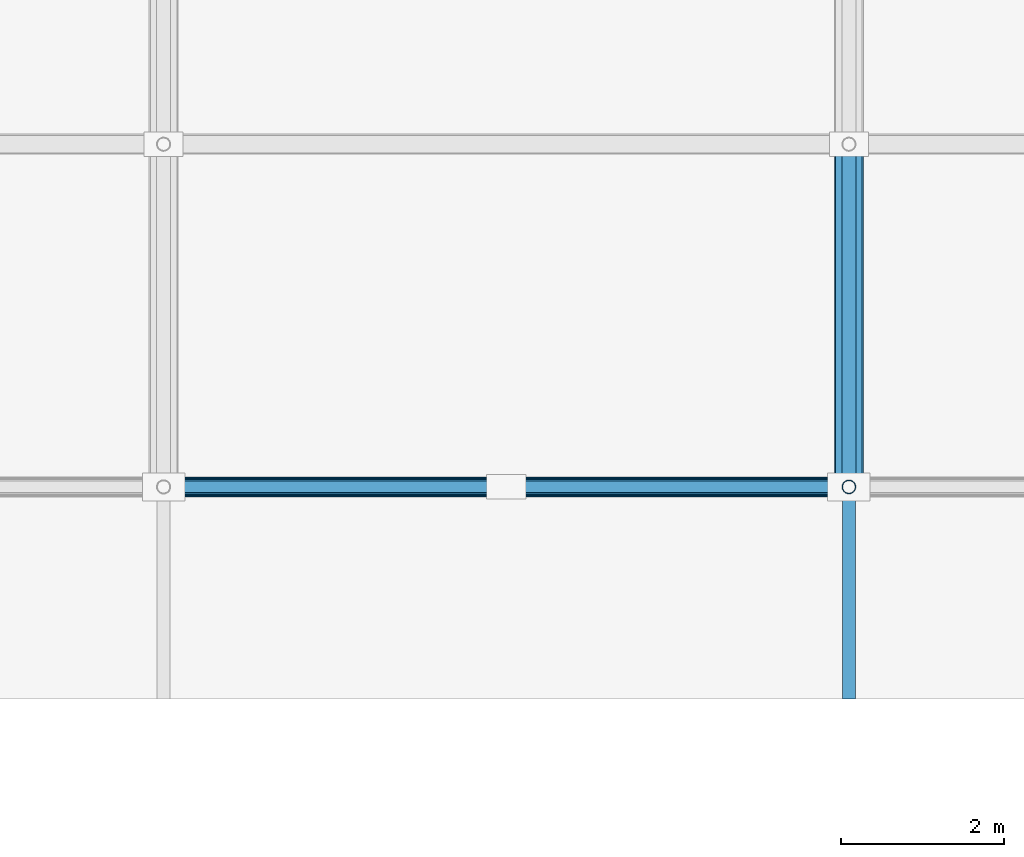
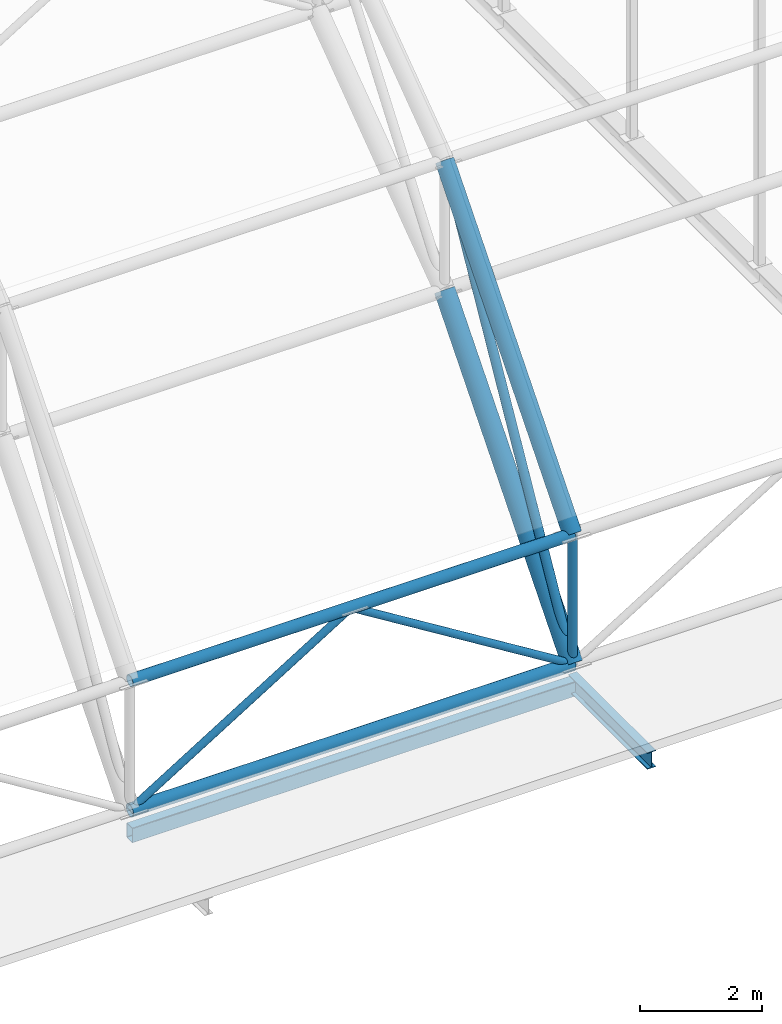
# One storey, part 30 of 103: 6 members, 4 beams.
"""IFC4 building model written with IfcOpenShell, lengths in metres."""

import ifcopenshell
import ifcopenshell.guid

model = None  # the IFC model being written
_history = None  # IfcOwnerHistory: only IFC2X3 demands one
_inside = {}  # id of a spatial element -> (the spatial element, [elements in it])
_under = {}  # id of a project, library or spatial element -> (it, [spatial elements below it])
_declared = {}  # id of a project -> (the project, [libraries it declares])
_typed = {}  # id of a type object -> (the type object, [elements of that type])
_made_of = {}  # id of a material, layer set ... -> (it, [elements and type objects made of it])


def new_model(schema):
    """Start an empty IFC model of exactly this schema.

    Asked for "IFC4X3", IfcOpenShell would pick the latest addendum, in which some entities
    have other attributes; the version numbers below select the first issue.
    IFC2X3 requires an IfcOwnerHistory on every rooted entity: one is made here for all.
    """
    global model, _history
    if schema == "IFC4X3":
        model = ifcopenshell.file(schema_version=(4, 3, 0, 0))
    else:
        model = ifcopenshell.file(schema=schema)
    _inside.clear()
    _under.clear()
    _declared.clear()
    _typed.clear()
    _made_of.clear()
    _history = None
    if model.schema == "IFC2X3":
        org = make("IfcOrganization", Name="unknown")
        user = make(
            "IfcPersonAndOrganization",
            ThePerson=make("IfcPerson", FamilyName="unknown"),
            TheOrganization=org,
        )
        app = make(
            "IfcApplication",
            ApplicationDeveloper=org,
            Version="unknown",
            ApplicationFullName="unknown",
            ApplicationIdentifier="unknown",
        )
        _history = make(
            "IfcOwnerHistory",
            OwningUser=user,
            OwningApplication=app,
            ChangeAction="ADDED",
            CreationDate=0,
        )
    return model


def make(cls, **values):
    """One entity of the class cls with the attributes given. An attribute that is None is left unset."""
    return model.create_entity(
        cls, **{name: value for name, value in values.items() if value is not None}
    )


def rooted(cls, **values):
    """An entity with a GlobalId (a new one), such as an element, a storey or a relation."""
    return make(cls, GlobalId=ifcopenshell.guid.new(), OwnerHistory=_history, **values)


def si_unit(unit_type, name, prefix=None):
    """IfcSIUnit, for example si_unit("LENGTHUNIT", "METRE", prefix="MILLI")."""
    return make("IfcSIUnit", UnitType=unit_type, Prefix=prefix, Name=name)


def assignment(units):
    """IfcUnitAssignment: the units of a project."""
    return None if units is None else make("IfcUnitAssignment", Units=units)


def point(xyz):
    """IfcCartesianPoint."""
    return None if xyz is None else make("IfcCartesianPoint", Coordinates=xyz)


def direction(xyz):
    """IfcDirection."""
    return None if xyz is None else make("IfcDirection", DirectionRatios=xyz)


def frame(location, z_axis=None, x_axis=None):
    """IfcAxis2Placement3D, a coordinate frame: its origin and axes. An axis left out is left unset."""
    return make(
        "IfcAxis2Placement3D",
        Location=point(location),
        Axis=direction(z_axis),
        RefDirection=direction(x_axis),
    )


def frame_2d(location, x_axis=None):
    """IfcAxis2Placement2D, a coordinate frame in the plane: its origin and x axis."""
    return make(
        "IfcAxis2Placement2D", Location=point(location), RefDirection=direction(x_axis)
    )


def origin():
    """The frame at (0, 0, 0) with its axes left unset."""
    return frame((0.0, 0.0, 0.0))


def origin_2d():
    """The frame at (0, 0) in the plane with its x axis left unset."""
    return frame_2d((0.0, 0.0))


def place(relative_to, where):
    """IfcLocalPlacement: puts the frame where relative to a parent placement (None: the world)."""
    return make(
        "IfcLocalPlacement", PlacementRelTo=relative_to, RelativePlacement=where
    )


def context(
    kind, dimensions, precision=None, world=None, true_north=None, identifier=None
):
    """IfcGeometricRepresentationContext, for example the 3D "Model" context."""
    return make(
        "IfcGeometricRepresentationContext",
        ContextIdentifier=identifier,
        ContextType=kind,
        CoordinateSpaceDimension=dimensions,
        Precision=precision,
        WorldCoordinateSystem=world,
        TrueNorth=true_north,
    )


def subcontext(parent, identifier, kind, view, scale=None):
    """IfcGeometricRepresentationSubContext, for example "Body" below "Model"."""
    return make(
        "IfcGeometricRepresentationSubContext",
        ContextIdentifier=identifier,
        ContextType=kind,
        ParentContext=parent,
        TargetScale=scale,
        TargetView=view,
    )


def project(units=None, contexts=None):
    """IfcProject with its units and contexts."""
    return rooted(
        "IfcProject",
        Name="project",
        RepresentationContexts=contexts,
        UnitsInContext=assignment(units),
    )


def spatial(cls, under=None, at=None, **own):
    """A site, building, storey or space (cls), placed at a placement, below another one or the project."""
    s = rooted(cls, ObjectPlacement=at, **own)
    if under is not None:
        _under.setdefault(under.id(), (under, []))[1].append(s)
    return s


def profile(cls, at=None, kind="AREA", **sizes):
    """A parametric profile (cls). Its sizes go by their IFC names, for example OverallWidth=200.0."""
    return make(cls, ProfileType=kind, Position=at, **sizes)


def hollow_rectangle(**sizes):
    """IfcRectangleHollowProfileDef."""
    return profile("IfcRectangleHollowProfileDef", **sizes)


def hollow_circle(**sizes):
    """IfcCircleHollowProfileDef."""
    return profile("IfcCircleHollowProfileDef", **sizes)


def i_section(**sizes):
    """IfcIShapeProfileDef."""
    return profile("IfcIShapeProfileDef", **sizes)


def extrude(swept, where, along, depth):
    """IfcExtrudedAreaSolid: the profile swept, set in the frame where, extruded along a direction by depth."""
    return make(
        "IfcExtrudedAreaSolid",
        SweptArea=swept,
        Position=where,
        ExtrudedDirection=direction(along),
        Depth=depth,
    )


def shape(context_of_items, identifier, shape_type, items):
    """IfcShapeRepresentation: the items that make up one representation, for example the "Body"."""
    return make(
        "IfcShapeRepresentation",
        ContextOfItems=context_of_items,
        RepresentationIdentifier=identifier,
        RepresentationType=shape_type,
        Items=items,
    )


def material(Name=None, Category=None):
    """IfcMaterial."""
    return make("IfcMaterial", Name=Name, Category=Category)


def material_profile(
    of_material, cross_section, Name=None, Category=None, Priority=None
):
    """IfcMaterialProfile: a cross section and its material."""
    return make(
        "IfcMaterialProfile",
        Name=Name,
        Material=of_material,
        Profile=cross_section,
        Priority=Priority,
        Category=Category,
    )


def profile_set(profiles, Name=None, composite=None):
    """IfcMaterialProfileSet."""
    return make(
        "IfcMaterialProfileSet",
        Name=Name,
        MaterialProfiles=profiles,
        CompositeProfile=composite,
    )


def made_of(thing, what):
    """Note that an element or type object is made of a material, layer set ...; save() writes the relation."""
    if what is not None:
        _made_of.setdefault(what.id(), (what, []))[1].append(thing)
    return thing


def type_object(cls, material=None, **own):
    """A type object (cls), such as IfcWallType, which elements share."""
    return made_of(rooted(cls, **own), material)


def element(
    cls,
    number,
    at=None,
    inside=None,
    cuts=None,
    type_object=None,
    material=None,
    context=None,
    identifier="Body",
    shape_type=None,
    held_by="IfcProductDefinitionShape",
    body=None,
    shapes=None,
    **own,
):
    """One element of the class cls, such as IfcWall. Its Tag is "e" and its number.

    at: its placement. inside: the storey or other place that contains it. cuts: it is an
    opening in that element (IfcRelVoidsElement). A single representation is given by context,
    identifier, shape_type and body (its items); several are given by shapes. held_by: the class
    of the entity that holds the representations. save() writes the other relations.
    """
    e = rooted(cls, Tag="e%d" % number, ObjectPlacement=at, **own)
    if body is not None:
        shapes = [shape(context, identifier, shape_type, body)]
    if shapes is not None:
        e.Representation = make(held_by, Representations=shapes)
    if inside is not None:
        _inside.setdefault(inside.id(), (inside, []))[1].append(e)
    if cuts is not None:
        rooted(
            "IfcRelVoidsElement", RelatingBuildingElement=cuts, RelatedOpeningElement=e
        )
    if type_object is not None:
        _typed.setdefault(type_object.id(), (type_object, []))[1].append(e)
    return made_of(e, material)


def aggregate(whole, parts):
    """IfcRelAggregates: a whole, such as a stair, and the parts it consists of."""
    return rooted("IfcRelAggregates", RelatingObject=whole, RelatedObjects=parts)


def save(model, path):
    """Write the relations noted so far, then the file.

    IfcRelAggregates (storeys below a building ...), IfcRelContainedInSpatialStructure (elements
    in a storey), IfcRelDefinesByType, IfcRelAssociatesMaterial and IfcRelDeclares: one each for
    every whole, place, type object, material and project.
    """
    for whole, parts in _under.values():
        aggregate(whole, parts)
    for where, things in _inside.values():
        rooted(
            "IfcRelContainedInSpatialStructure",
            RelatedElements=things,
            RelatingStructure=where,
        )
    for kind, things in _typed.values():
        rooted("IfcRelDefinesByType", RelatedObjects=things, RelatingType=kind)
    for what, things in _made_of.values():
        rooted("IfcRelAssociatesMaterial", RelatedObjects=things, RelatingMaterial=what)
    for by, libraries in _declared.values():
        rooted("IfcRelDeclares", RelatingContext=by, RelatedDefinitions=libraries)
    model.write(path)


model = new_model("IFC4")

# Units and contexts
model_context = context("Model", 3, precision=1e-05, world=origin(), true_north=direction((0.0, 1.0)))
body_context = subcontext(model_context, "Body", "Model", "MODEL_VIEW")
ifc_project = project(units=[si_unit("LENGTHUNIT", "METRE"), si_unit("AREAUNIT", "SQUARE_METRE"), si_unit("VOLUMEUNIT", "CUBIC_METRE"), si_unit("PLANEANGLEUNIT", "RADIAN"), si_unit("MASSUNIT", "GRAM", prefix="KILO")], contexts=[model_context])

# Site, building, storey
site_placement = place(None, origin())
site = spatial("IfcSite", under=ifc_project, at=site_placement, CompositionType="ELEMENT")
building_placement = place(site_placement, origin())
building = spatial("IfcBuilding", under=site, at=building_placement, Name="Varnapada Polytechnic", CompositionType="ELEMENT")
storey_placement = place(building_placement, frame((0.0, 0.0, 18.0)))
storey = spatial("IfcBuildingStorey", under=building, at=storey_placement, Name="L04", CompositionType="ELEMENT", Elevation=18.0)

# Beam
ifc_material = material(Name="Steel S355", Category="steel")
ifc_material_profile_1 = material_profile(ifc_material, i_section(OverallWidth=0.159912109375, OverallDepth=0.330078125, WebThickness=0.007568359375, FlangeThickness=0.011474609375, FilletRadius=0.01806640625, at=origin_2d()), Name="IPE 330")
ifc_profile_set_1 = profile_set([ifc_material_profile_1], Name="Steel S355")
beam_type_1 = type_object("IfcBeamType", Name="Clerestory monitor steel rafter SB-07 (IPE 330)", PredefinedType="BEAM", material=ifc_profile_set_1)
beam_1_placement = place(storey_placement, frame((126.0, 84.0, -0.35009765625), z_axis=(0.0, -1.0, 0.0), x_axis=(1.0, 0.0, 0.0)))
element("IfcBeam", 1, at=beam_1_placement, inside=storey, type_object=beam_type_1, Name="Workshop eave shade outlooker S.10", PredefinedType="BEAM", context=body_context, shape_type="SweptSolid", body=[
    extrude(i_section(OverallWidth=0.159912109375, OverallDepth=0.330078125, WebThickness=0.007568359375, FlangeThickness=0.011474609375, FilletRadius=0.01806640625, at=origin_2d()), origin(), (0.0, 0.0, 1.0), 2.60009765625),
])

# Members
ifc_material_profile_2 = material_profile(ifc_material, hollow_circle(Radius=0.122314453125, WallThickness=0.008056640625, at=origin_2d()), Name="CHS 244.5x8.0")
ifc_profile_set_2 = profile_set([ifc_material_profile_2], Name="Steel S355")
member_type_1 = type_object("IfcMemberType", Name="Vaulted space frame longitudinal bottom chord SFC-01 (CHS 244.5x8.0)", PredefinedType="CHORD", material=ifc_profile_set_2)
member_1_placement = place(storey_placement, frame((117.60009765625, 84.0, 0.0), z_axis=(1.0, 0.0, 0.0), x_axis=(0.0, 1.0, 0.0)))
element("IfcMember", 2, at=member_1_placement, inside=storey, type_object=member_type_1, Name="Vaulted space frame longitudinal bottom chord 9.1", PredefinedType="CHORD", context=body_context, shape_type="SweptSolid", body=[
    extrude(hollow_circle(Radius=0.122314453125, WallThickness=0.008056640625, at=origin_2d()), origin(), (0.0, 0.0, 1.0), 8.39990234375),
])
ifc_material_profile_3 = material_profile(ifc_material, hollow_circle(Radius=0.109619140625, WallThickness=0.008056640625, at=origin_2d()), Name="CHS 219.1x8.0")
ifc_profile_set_3 = profile_set([ifc_material_profile_3], Name="Steel S355")
member_type_2 = type_object("IfcMemberType", Name="Vaulted space frame longitudinal top chord SFC-02 (CHS 219.1x8.0)", PredefinedType="CHORD", material=ifc_profile_set_3)
member_2_placement = place(storey_placement, frame((117.60009765625, 84.0, 2.60009765625), z_axis=(1.0, 0.0, 0.0), x_axis=(0.0, 1.0, 0.0)))
element("IfcMember", 3, at=member_2_placement, inside=storey, type_object=member_type_2, Name="Vaulted space frame longitudinal top chord 9.1", PredefinedType="CHORD", context=body_context, shape_type="SweptSolid", body=[
    extrude(hollow_circle(Radius=0.109619140625, WallThickness=0.008056640625, at=origin_2d()), origin(), (0.0, 0.0, 1.0), 8.39990234375),
])

# Beam
ifc_material_profile_4 = material_profile(ifc_material, hollow_circle(Radius=0.177734375, WallThickness=0.012451171875, at=origin_2d()), Name="CHS 355.6x12.5")
ifc_profile_set_4 = profile_set([ifc_material_profile_4], Name="Steel S355")
beam_type_2 = type_object("IfcBeamType", Name="Vaulted space frame primary arch rib VA-01 (CHS 355.6x12.5)", PredefinedType="BEAM", material=ifc_profile_set_4)
beam_2_placement = place(storey_placement, frame((126.0, 84.0, 0.0), z_axis=(0.0, 0.647032448214, 0.762462465279), x_axis=(-1.0, 0.0, 0.0)))
element("IfcBeam", 4, at=beam_2_placement, inside=storey, type_object=beam_type_2, Name="Vaulted space frame bottom arch chord 10.1", PredefinedType="BEAM", context=body_context, shape_type="SweptSolid", body=[
    extrude(hollow_circle(Radius=0.177734375, WallThickness=0.012451171875, at=origin_2d()), origin(), (0.0, 0.0, 1.0), 6.4912109375),
])

# Members
ifc_material_profile_5 = material_profile(ifc_material, hollow_circle(Radius=0.084228515625, WallThickness=0.00634765625, at=origin_2d()), Name="CHS 168.3x6.3")
ifc_profile_set_5 = profile_set([ifc_material_profile_5], Name="Steel S355")
member_type_3 = type_object("IfcMemberType", Name="Vaulted space frame primary web diagonal SFB-01 (CHS 168.3x6.3)", PredefinedType="BRACE", material=ifc_profile_set_5)
member_3_placement = place(storey_placement, frame((126.0, 84.0, 0.0), z_axis=(0.0, 0.486175535898, 0.873861172209), x_axis=(-1.0, 0.0, 0.0)))
element("IfcMember", 5, at=member_3_placement, inside=storey, type_object=member_type_3, Name="Vaulted space frame web diagonal 10.1", PredefinedType="BRACE", context=body_context, shape_type="SweptSolid", body=[
    extrude(hollow_circle(Radius=0.084228515625, WallThickness=0.00634765625, at=origin_2d()), origin(), (0.0, 0.0, 1.0), 8.638671875),
])
ifc_material_profile_6 = material_profile(ifc_material, hollow_circle(Radius=0.084228515625, WallThickness=0.00634765625, at=origin_2d()), Name="CHS 168.3x6.3")
ifc_profile_set_6 = profile_set([ifc_material_profile_6], Name="Steel S355")
member_type_4 = type_object("IfcMemberType", Name="Vaulted space frame radial web strut SFS-01 (CHS 168.3x6.3)", PredefinedType="STRUT", material=ifc_profile_set_6)
member_4_placement = place(storey_placement, frame((126.0, 84.0, 0.0), z_axis=(0.0, 0.0, 1.0), x_axis=(1.0, 0.0, 0.0)))
element("IfcMember", 6, at=member_4_placement, inside=storey, type_object=member_type_4, Name="Vaulted space frame strut 10.1", PredefinedType="STRUT", context=body_context, shape_type="SweptSolid", body=[
    extrude(hollow_circle(Radius=0.084228515625, WallThickness=0.00634765625, at=origin_2d()), origin(), (0.0, 0.0, 1.0), 2.60009765625),
])
ifc_material_profile_7 = material_profile(ifc_material, hollow_circle(Radius=0.06982421875, WallThickness=0.0048828125, at=origin_2d()), Name="CHS 139.7x5.0")
ifc_profile_set_7 = profile_set([ifc_material_profile_7], Name="Steel S355")
member_type_5 = type_object("IfcMemberType", Name="Vaulted space frame secondary web diagonal SFB-02 (CHS 139.7x5.0)", PredefinedType="BRACE", material=ifc_profile_set_7)
for number, where, z_axis, x_axis, name in (
    (7, (117.60009765625, 84.0, 0.0), (0.85025356003, 0.0, 0.526373331065), (0.0, 1.0, 0.0), "Vaulted space frame longitudinal brace 9.1A"),
    (8, (126.0, 84.0, 0.0), (-0.85025356003, 0.0, 0.526373331065), (0.0, -1.0, 0.0), "Vaulted space frame longitudinal brace 9.1B"),
):
    element("IfcMember", number, at=place(storey_placement, frame(where, z_axis=z_axis, x_axis=x_axis)), inside=storey, type_object=member_type_5, Name=name, PredefinedType="BRACE", context=body_context, shape_type="SweptSolid", body=[
        extrude(hollow_circle(Radius=0.06982421875, WallThickness=0.0048828125, at=origin_2d()), origin(), (0.0, 0.0, 1.0), 4.939697265625),
    ])

# Beams
ifc_material_profile_8 = material_profile(ifc_material, hollow_circle(Radius=0.161865234375, WallThickness=0.010009765625, at=origin_2d()), Name="CHS 323.9x10.0")
ifc_profile_set_8 = profile_set([ifc_material_profile_8], Name="Steel S355")
beam_type_3 = type_object("IfcBeamType", Name="Vaulted space frame upper arch rib VA-02 (CHS 323.9x10.0)", PredefinedType="BEAM", material=ifc_profile_set_8)
beam_3_placement = place(storey_placement, frame((126.0, 84.0, 2.60009765625), z_axis=(0.0, 0.647051003787, 0.762446718465), x_axis=(-1.0, 0.0, 0.0)))
element("IfcBeam", 9, at=beam_3_placement, inside=storey, type_object=beam_type_3, Name="Vaulted space frame top arch chord 10.1", PredefinedType="BEAM", context=body_context, shape_type="SweptSolid", body=[
    extrude(hollow_circle(Radius=0.161865234375, WallThickness=0.010009765625, at=origin_2d()), origin(), (0.0, 0.0, 1.0), 6.490966796875),
])
ifc_material_profile_9 = material_profile(ifc_material, hollow_rectangle(XDim=0.199951171875, YDim=0.300048828125, WallThickness=0.010009765625, InnerFilletRadius=0.010009765625, OuterFilletRadius=0.02001953125, at=origin_2d()), Name="RHS 300x200x10")
ifc_profile_set_9 = profile_set([ifc_material_profile_9], Name="Steel S355")
beam_type_4 = type_object("IfcBeamType", Name="Workshop steel spandrel tie SP-03 (RHS 300x200x10)", PredefinedType="SPANDREL", material=ifc_profile_set_9)
beam_4_placement = place(storey_placement, frame((117.60009765625, 84.0, -0.449951171875), z_axis=(1.0, 0.0, 0.0), x_axis=(0.0, 1.0, 0.0)))
element("IfcBeam", 10, at=beam_4_placement, inside=storey, type_object=beam_type_4, Name="L04 workshop clerestory tie X15-16 Y11", PredefinedType="SPANDREL", context=body_context, shape_type="SweptSolid", body=[
    extrude(hollow_rectangle(XDim=0.199951171875, YDim=0.300048828125, WallThickness=0.010009765625, InnerFilletRadius=0.010009765625, OuterFilletRadius=0.02001953125, at=origin_2d()), origin(), (0.0, 0.0, 1.0), 8.39990234375),
])

save(model, "model.ifc")
